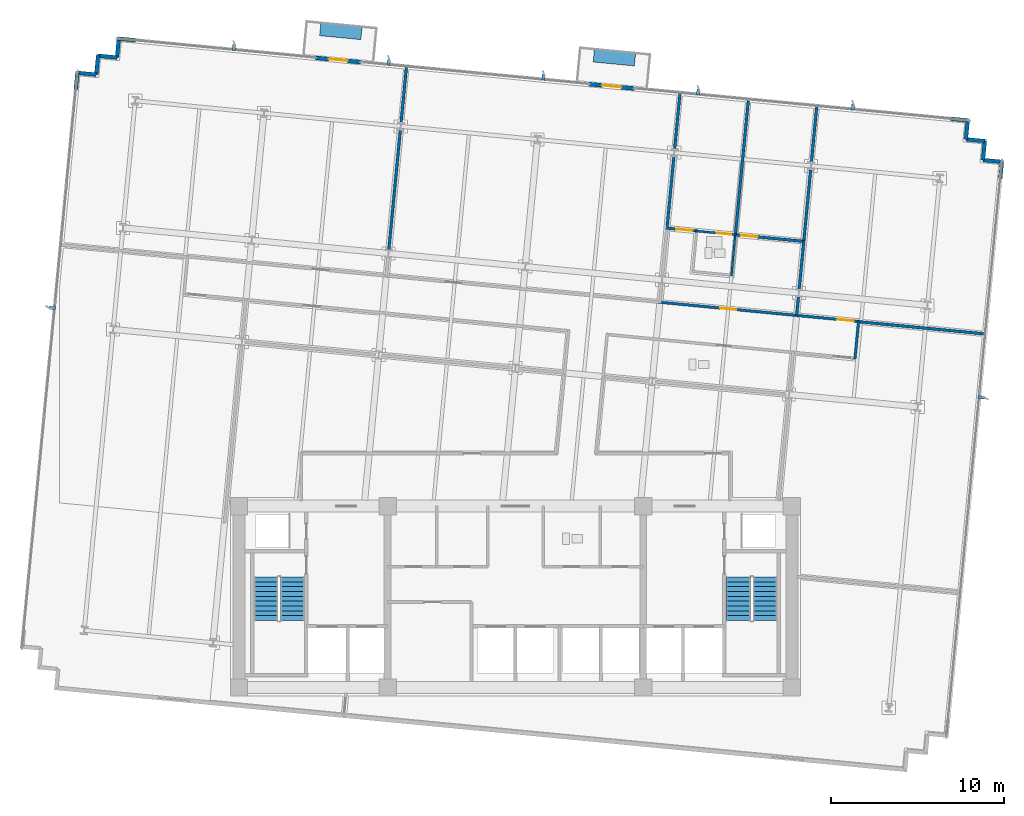
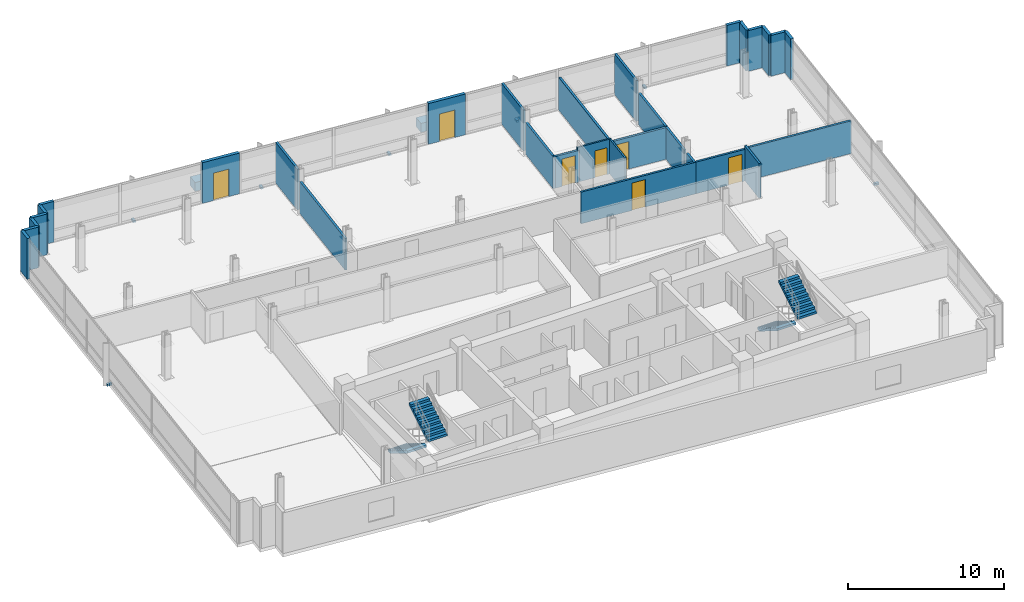
# One storey, part 12 of 17: 31 walls, 9 discrete accessories, 7 doors, 4 stair flights, 7 openings, 2 elements without a shape of their own.
"""IFC4 building model written with IfcOpenShell, lengths in metres."""

from ifc_helpers import new_model, si_unit, direction, frame, frame_2d, origin, origin_2d, place, context, subcontext, project, spatial, polyline, rectangle, outline, extrude, material, layer, layer_set, type_object, element, fill, aggregate, save


model = new_model("IFC4")

# Units and contexts
model_context = context("Model", 3, precision=1e-05, world=origin(), true_north=direction((0.0, 1.0)))
body_context = subcontext(model_context, "Body", "Model", "MODEL_VIEW")
ifc_project = project(units=[si_unit("LENGTHUNIT", "METRE"), si_unit("AREAUNIT", "SQUARE_METRE"), si_unit("VOLUMEUNIT", "CUBIC_METRE"), si_unit("PLANEANGLEUNIT", "RADIAN"), si_unit("MASSUNIT", "GRAM", prefix="KILO")], contexts=[model_context])

# Site, building, storey
site_placement = place(None, origin())
site = spatial("IfcSite", under=ifc_project, at=site_placement, CompositionType="ELEMENT")
building_placement = place(site_placement, origin())
building = spatial("IfcBuilding", under=site, at=building_placement, Name="Solmavex Isthmus Hotel", CompositionType="ELEMENT")
storey_placement = place(building_placement, frame((0.0, 0.0, 163.5)))
storey = spatial("IfcBuildingStorey", under=building, at=storey_placement, Name="L44", CompositionType="ELEMENT", Elevation=163.5)

# Wall, opening, door
ifc_material_1 = material(Name="Precast Concrete C40/50", Category="concrete")
ifc_layer_1 = layer(ifc_material_1, 0.25)
ifc_layer_set_1 = layer_set([ifc_layer_1], Name="Precast Concrete C40/50")
wall_type_1 = type_object("IfcWallType", Name="EW-TWR-250", PredefinedType="STANDARD", material=ifc_layer_set_1)
wall_1_placement = place(storey_placement, frame((-11.5634765625, 23.46142578125, 0.0), z_axis=(0.0, 0.0, 1.0), x_axis=(0.995402144456, -0.095783979938, 0.0)))
wall_1 = element("IfcWall", 1, at=wall_1_placement, inside=storey, type_object=wall_type_1, Name="Exterior Balcony Door Wall L44-2", PredefinedType="STANDARD", context=body_context, shape_type="SweptSolid", body=[
    extrude(rectangle(XDim=2.599853515625, YDim=0.239990234375, at=frame_2d((1.2998046875, 0.0))), origin(), (0.0, 0.0, 1.0), 3.18994140625),
])
opening_1_placement = place(wall_1_placement, frame((0.75, 0.0, 0.0)))
opening_1 = element("IfcOpeningElement", 2, at=opening_1_placement, cuts=wall_1, Name="Opening ED-02", PredefinedType="OPENING", context=body_context, shape_type="SweptSolid", body=[
    extrude(rectangle(XDim=1.10009765625, YDim=2.14990234375, at=frame_2d((0.550048828125, 1.074951171875))), frame((0.0, 0.1298828125, 0.0), z_axis=(0.0, -1.0, 0.0), x_axis=(1.0, 0.0, 0.0)), (0.0, 0.0, 1.0), 0.260009765625),
])
ifc_material_2 = material(Name="Aluminium alloy 6063-T6", Category="aluminium")
door_type_1 = type_object("IfcDoorType", Name="EDR-BALC-1100", OperationType="NOTDEFINED", PredefinedType="DOOR", material=ifc_material_2)
door_1_placement = place(opening_1_placement, origin())
door_1 = element("IfcDoor", 3, at=door_1_placement, inside=storey, type_object=door_type_1, Name="Balcony & Terrace Glazed Door L44-2", OperationType="SINGLE_SWING_RIGHT", OverallHeight=2.14990234375, OverallWidth=1.10009765625, PredefinedType="DOOR", context=body_context, shape_type="SweptSolid", body=[
    extrude(rectangle(XDim=1.10009765625, YDim=2.14990234375, at=frame_2d((0.550048828125, 1.074951171875))), frame((0.0, 0.02490234375, 0.0), z_axis=(0.0, -1.0, 0.0), x_axis=(1.0, 0.0, 0.0)), (0.0, 0.0, 1.0), 0.050048828125),
])
fill(opening_1, door_1)

wall_2_placement = place(storey_placement, frame((4.275146484375, 21.9365234375, 0.0), z_axis=(0.0, 0.0, 1.0), x_axis=(0.995394049959, -0.095868061976, 0.0)))
wall_2 = element("IfcWall", 4, at=wall_2_placement, inside=storey, type_object=wall_type_1, Name="Exterior Balcony Door Wall L44-3", PredefinedType="STANDARD", context=body_context, shape_type="SweptSolid", body=[
    extrude(rectangle(XDim=2.60009765625, YDim=0.239990234375, at=frame_2d((1.300048828125, 0.0))), origin(), (0.0, 0.0, 1.0), 3.18994140625),
])
opening_2_placement = place(wall_2_placement, frame((0.75, 0.0, 0.0)))
opening_2 = element("IfcOpeningElement", 5, at=opening_2_placement, cuts=wall_2, Name="Opening ED-02", PredefinedType="OPENING", context=body_context, shape_type="SweptSolid", body=[
    extrude(rectangle(XDim=1.10009765625, YDim=2.14990234375, at=frame_2d((0.550048828125, 1.074951171875))), frame((0.0, 0.1298828125, 0.0), z_axis=(0.0, -1.0, 0.0), x_axis=(1.0, 0.0, 0.0)), (0.0, 0.0, 1.0), 0.260009765625),
])
door_2_placement = place(opening_2_placement, origin())
door_2 = element("IfcDoor", 6, at=door_2_placement, inside=storey, type_object=door_type_1, Name="Balcony & Terrace Glazed Door L44-3", OperationType="SINGLE_SWING_LEFT", OverallHeight=2.14990234375, OverallWidth=1.10009765625, PredefinedType="DOOR", context=body_context, shape_type="SweptSolid", body=[
    extrude(rectangle(XDim=1.10009765625, YDim=2.14990234375, at=frame_2d((0.550048828125, 1.074951171875))), frame((0.0, 0.02490234375, 0.0), z_axis=(0.0, -1.0, 0.0), x_axis=(1.0, 0.0, 0.0)), (0.0, 0.0, 1.0), 0.050048828125),
])
fill(opening_2, door_2)

# Walls
wall_3_placement = place(storey_placement, frame((-25.46142578125, 21.60498046875, 0.0), z_axis=(0.0, 0.0, 1.0), x_axis=(0.095937974524, 0.995387314086, 0.0)))
element("IfcWall", 7, at=wall_3_placement, inside=storey, type_object=wall_type_1, Name="Serrated Corner Facade Panel L44-07", PredefinedType="STANDARD", context=body_context, shape_type="SweptSolid", body=[
    extrude(rectangle(XDim=0.989990234375, YDim=0.219970703125, at=frame_2d((0.4951171875, 0.0))), origin(), (0.0, 0.0, 1.0), 3.18994140625),
])
for number, where, z_axis, x_axis, name in (
    (8, (-25.366455078125, 22.59033203125, 0.0), (0.0, 0.0, 1.0), (0.995414313875, -0.095657429048, 0.0), "Serrated Corner Facade Panel L44-08"),
    (9, (-24.271484375, 22.485107421875, 0.0), (0.0, 0.0, 1.0), (0.095657429048, 0.995414313875, 0.0), "Serrated Corner Facade Panel L44-09"),
    (10, (-24.166259765625, 23.580078125, 0.0), (0.0, 0.0, 1.0), (0.995393156894, -0.095877334176, 0.0), "Serrated Corner Facade Panel L44-10"),
    (11, (-23.0712890625, 23.474609375, 0.0), (0.0, 0.0, 1.0), (0.095877334176, 0.995393156894, 0.0), "Serrated Corner Facade Panel L44-11"),
):
    element("IfcWall", number, at=place(storey_placement, frame(where, z_axis=z_axis, x_axis=x_axis)), inside=storey, type_object=wall_type_1, Name=name, PredefinedType="STANDARD", context=body_context, shape_type="SweptSolid", body=[
        extrude(rectangle(XDim=1.10009765625, YDim=0.219970703125, at=frame_2d((0.550048828125, 0.0))), origin(), (0.0, 0.0, 1.0), 3.18994140625),
    ])
for number, where, z_axis, x_axis, name in (
    (12, (-22.9658203125, 24.569580078125, 0.0), (0.0, 0.0, 1.0), (0.995387314086, -0.095937974524, 0.0), "Serrated Corner Facade Panel L44-12"),
    (13, (25.201416015625, 19.931396484375, 0.0), (0.0, 0.0, 1.0), (0.99541083642, -0.095693608655, 0.0), "Serrated Corner Facade Panel L44-14"),
):
    element("IfcWall", number, at=place(storey_placement, frame(where, z_axis=z_axis, x_axis=x_axis)), inside=storey, type_object=wall_type_1, Name=name, PredefinedType="STANDARD", context=body_context, shape_type="SweptSolid", body=[
        extrude(rectangle(XDim=0.989990234375, YDim=0.219970703125, at=frame_2d((0.4951171875, 0.0))), origin(), (0.0, 0.0, 1.0), 3.18994140625),
    ])
wall_4_placement = place(storey_placement, frame((26.186767578125, 19.836669921875, 0.0), z_axis=(0.0, 0.0, 1.0), x_axis=(-0.095657429048, -0.995414313875, 0.0)))
element("IfcWall", 14, at=wall_4_placement, inside=storey, type_object=wall_type_1, Name="Serrated Corner Facade Panel L44-15", PredefinedType="STANDARD", context=body_context, shape_type="SweptSolid", body=[
    extrude(rectangle(XDim=1.10009765625, YDim=0.219970703125, at=frame_2d((0.550048828125, 0.0))), origin(), (0.0, 0.0, 1.0), 3.18994140625),
])
wall_5_placement = place(storey_placement, frame((26.08154296875, 18.74169921875, 0.0), z_axis=(0.0, 0.0, 1.0), x_axis=(0.995391116058, -0.095898519656, 0.0)))
element("IfcWall", 15, at=wall_5_placement, inside=storey, type_object=wall_type_1, Name="Serrated Corner Facade Panel L44-16", PredefinedType="STANDARD", context=body_context, shape_type="SweptSolid", body=[
    extrude(rectangle(XDim=1.099853515625, YDim=0.219970703125, at=frame_2d((0.5498046875, 0.0))), origin(), (0.0, 0.0, 1.0), 3.18994140625),
])
wall_6_placement = place(storey_placement, frame((27.17626953125, 18.63623046875, 0.0), z_axis=(0.0, 0.0, 1.0), x_axis=(-0.095657429048, -0.995414313875, 0.0)))
element("IfcWall", 16, at=wall_6_placement, inside=storey, type_object=wall_type_1, Name="Serrated Corner Facade Panel L44-17", PredefinedType="STANDARD", context=body_context, shape_type="SweptSolid", body=[
    extrude(rectangle(XDim=1.10009765625, YDim=0.219970703125, at=frame_2d((0.550048828125, 0.0))), origin(), (0.0, 0.0, 1.0), 3.18994140625),
])
wall_7_placement = place(storey_placement, frame((27.071044921875, 17.541259765625, 0.0), z_axis=(0.0, 0.0, 1.0), x_axis=(0.995391116058, -0.095898519656, 0.0)))
element("IfcWall", 17, at=wall_7_placement, inside=storey, type_object=wall_type_1, Name="Serrated Corner Facade Panel L44-18", PredefinedType="STANDARD", context=body_context, shape_type="SweptSolid", body=[
    extrude(rectangle(XDim=1.099853515625, YDim=0.219970703125, at=frame_2d((0.5498046875, 0.0))), origin(), (0.0, 0.0, 1.0), 3.18994140625),
])
wall_8_placement = place(storey_placement, frame((28.165771484375, 17.435791015625, 0.0), z_axis=(0.0, 0.0, 1.0), x_axis=(-0.095693608655, -0.99541083642, 0.0)))
element("IfcWall", 18, at=wall_8_placement, inside=storey, type_object=wall_type_1, Name="Serrated Corner Facade Panel L44-19", PredefinedType="STANDARD", context=body_context, shape_type="SweptSolid", body=[
    extrude(rectangle(XDim=0.989990234375, YDim=0.219970703125, at=frame_2d((0.4951171875, 0.0))), origin(), (0.0, 0.0, 1.0), 3.18994140625),
])
ifc_material_3 = material(Name="Gypsum plasterboard lining", Category="gypsum")
ifc_layer_2 = layer(ifc_material_3, 0.159912109375)
ifc_layer_set_2 = layer_set([ifc_layer_2], Name="Gypsum plasterboard lining")
wall_type_2 = type_object("IfcWallType", Name="IW-COMP-160", PredefinedType="PARTITIONING", material=ifc_layer_set_2)
wall_9_placement = place(storey_placement, frame((-6.66015625, 19.31640625, 0.0), z_axis=(0.0, 0.0, 1.0), x_axis=(-0.095853155488, -0.995395485515, 0.0)))
element("IfcWall", 19, at=wall_9_placement, inside=storey, type_object=wall_type_2, Name="Interior Partition Wall W-L44-P020", PredefinedType="PARTITIONING", context=body_context, shape_type="SweptSolid", body=[
    extrude(rectangle(XDim=7.0400390625, YDim=0.159912109375, at=frame_2d((3.52001953125, 0.0))), origin(), (0.0, 0.0, 1.0), 2.4794921875),
])
wall_10_placement = place(storey_placement, frame((-6.305908203125, 22.995361328125, 0.0), z_axis=(0.0, 0.0, 1.0), x_axis=(-0.095859866796, -0.995394839216, 0.0)))
element("IfcWall", 20, at=wall_10_placement, inside=storey, type_object=wall_type_2, Name="Interior Partition Wall W-L44-P021", PredefinedType="PARTITIONING", context=body_context, shape_type="SweptSolid", body=[
    extrude(rectangle(XDim=3.343994140625, YDim=0.159912109375, at=frame_2d((1.671875, 0.0))), origin(), (0.0, 0.0, 1.0), 3.18994140625),
])
wall_11_placement = place(storey_placement, frame((9.178466796875, 17.791259765625, 0.0), z_axis=(0.0, 0.0, 1.0), x_axis=(-0.095830387623, -0.995397677719, 0.0)))
element("IfcWall", 21, at=wall_11_placement, inside=storey, type_object=wall_type_2, Name="Interior Partition Wall W-L44-P025", PredefinedType="PARTITIONING", context=body_context, shape_type="SweptSolid", body=[
    extrude(rectangle(XDim=4.2978515625, YDim=0.159912109375, at=frame_2d((2.14892578125, 0.0))), origin(), (0.0, 0.0, 1.0), 2.4794921875),
])
wall_12_placement = place(storey_placement, frame((9.53271484375, 21.470458984375, 0.0), z_axis=(0.0, 0.0, 1.0), x_axis=(-0.095859866796, -0.995394839216, 0.0)))
element("IfcWall", 22, at=wall_12_placement, inside=storey, type_object=wall_type_2, Name="Interior Partition Wall W-L44-P026", PredefinedType="PARTITIONING", context=body_context, shape_type="SweptSolid", body=[
    extrude(rectangle(XDim=3.343994140625, YDim=0.159912109375, at=frame_2d((1.671875, 0.0))), origin(), (0.0, 0.0, 1.0), 3.18994140625),
])

# Wall, opening, door
wall_13_placement = place(storey_placement, frame((8.734619140625, 13.5986328125, 0.0), z_axis=(0.0, 0.0, 1.0), x_axis=(0.995394173932, -0.095866774755, 0.0)))
wall_13 = element("IfcWall", 23, at=wall_13_placement, inside=storey, type_object=wall_type_2, Name="Interior Partition Wall W-L44-P027", PredefinedType="PARTITIONING", context=body_context, shape_type="SweptSolid", body=[
    extrude(rectangle(XDim=1.80810546875, YDim=0.159912109375, at=frame_2d((0.904052734375, 0.0))), origin(), (0.0, 0.0, 1.0), 2.4794921875),
])
opening_3_placement = place(wall_13_placement, frame((0.57421875, 0.0, 0.0)))
opening_3 = element("IfcOpeningElement", 24, at=opening_3_placement, cuts=wall_13, Name="Opening ID-C095", PredefinedType="OPENING", context=body_context, shape_type="SweptSolid", body=[
    extrude(rectangle(XDim=0.949951171875, YDim=2.14990234375, at=frame_2d((0.47509765625, 1.074951171875))), frame((0.0, 0.08984375, 0.0), z_axis=(0.0, -1.0, 0.0), x_axis=(1.0, 0.0, 0.0)), (0.0, 0.0, 1.0), 0.179931640625),
])
ifc_material_4 = material(Name="Hardwood timber", Category="wood")
door_type_2 = type_object("IfcDoorType", Name="IDR-FD60-0950", OperationType="NOTDEFINED", PredefinedType="DOOR", material=ifc_material_4)
door_3_placement = place(opening_3_placement, origin())
door_3 = element("IfcDoor", 25, at=door_3_placement, inside=storey, type_object=door_type_2, Name="Diplomatic Suite Master Bedroom Door L44-04", OperationType="SINGLE_SWING_RIGHT", OverallHeight=2.14990234375, OverallWidth=0.949951171875, PredefinedType="DOOR", context=body_context, shape_type="SweptSolid", body=[
    extrude(rectangle(XDim=0.949951171875, YDim=2.14990234375, at=frame_2d((0.47509765625, 1.074951171875))), frame((0.0, 0.02490234375, 0.0), z_axis=(0.0, -1.0, 0.0), x_axis=(1.0, 0.0, 0.0)), (0.0, 0.0, 1.0), 0.050048828125),
])
fill(opening_3, door_3)

wall_14_placement = place(storey_placement, frame((12.684326171875, 13.21826171875, 0.0), z_axis=(0.0, 0.0, 1.0), x_axis=(0.995396485523, -0.095842770251, 0.0)))
wall_14 = element("IfcWall", 26, at=wall_14_placement, inside=storey, type_object=wall_type_2, Name="Interior Partition Wall W-L44-P028", PredefinedType="PARTITIONING", context=body_context, shape_type="SweptSolid", body=[
    extrude(rectangle(XDim=4.068115234375, YDim=0.159912109375, at=frame_2d((2.0341796875, 0.0))), origin(), (0.0, 0.0, 1.0), 2.4794921875),
])
opening_4_placement = place(wall_14_placement, frame((0.386474609375, 0.0, 0.0)))
opening_4 = element("IfcOpeningElement", 27, at=opening_4_placement, cuts=wall_14, Name="Opening ID-C095", PredefinedType="OPENING", context=body_context, shape_type="SweptSolid", body=[
    extrude(rectangle(XDim=0.949951171875, YDim=2.14990234375, at=frame_2d((0.47509765625, 1.074951171875))), frame((0.0, 0.08984375, 0.0), z_axis=(0.0, -1.0, 0.0), x_axis=(1.0, 0.0, 0.0)), (0.0, 0.0, 1.0), 0.179931640625),
])
door_4_placement = place(opening_4_placement, origin())
door_4 = element("IfcDoor", 28, at=door_4_placement, inside=storey, type_object=door_type_2, Name="Diplomatic Suite Panorama Sitting Study Door L44-05", OperationType="SINGLE_SWING_LEFT", OverallHeight=2.14990234375, OverallWidth=0.949951171875, PredefinedType="DOOR", context=body_context, shape_type="SweptSolid", body=[
    extrude(rectangle(XDim=0.949951171875, YDim=2.14990234375, at=frame_2d((0.47509765625, 1.074951171875))), frame((0.0, 0.02490234375, 0.0), z_axis=(0.0, -1.0, 0.0), x_axis=(1.0, 0.0, 0.0)), (0.0, 0.0, 1.0), 0.050048828125),
])
fill(opening_4, door_4)

# Walls
wall_15_placement = place(storey_placement, frame((16.389404296875, 9.6708984375, 0.0), z_axis=(0.0, 0.0, 1.0), x_axis=(-0.095811626391, -0.995399483749, 0.0)))
element("IfcWall", 29, at=wall_15_placement, inside=storey, type_object=wall_type_2, Name="Interior Partition Wall W-L44-P032", PredefinedType="PARTITIONING", context=body_context, shape_type="SweptSolid", body=[
    extrude(rectangle(XDim=1.172119140625, YDim=0.159912109375, at=frame_2d((0.5859375, 0.0))), origin(), (0.0, 0.0, 1.0), 2.4794921875),
])
wall_16_placement = place(storey_placement, frame((16.69775390625, 12.8720703125, 0.0), z_axis=(0.0, 0.0, 1.0), x_axis=(-0.095899197745, -0.995391050729, 0.0)))
element("IfcWall", 30, at=wall_16_placement, inside=storey, type_object=wall_type_2, Name="Interior Partition Wall W-L44-P033", PredefinedType="PARTITIONING", context=body_context, shape_type="SweptSolid", body=[
    extrude(rectangle(XDim=2.864013671875, YDim=0.159912109375, at=frame_2d((1.43212890625, 0.0))), origin(), (0.0, 0.0, 1.0), 2.4794921875),
])
wall_17_placement = place(storey_placement, frame((13.48095703125, 20.9697265625, 0.0), z_axis=(0.0, 0.0, 1.0), x_axis=(-0.095851985855, -0.995395598146, 0.0)))
element("IfcWall", 31, at=wall_17_placement, inside=storey, type_object=wall_type_2, Name="Interior Partition Wall W-L44-P034", PredefinedType="PARTITIONING", context=body_context, shape_type="SweptSolid", body=[
    extrude(rectangle(XDim=7.832275390625, YDim=0.159912109375, at=frame_2d((3.916015625, 0.0))), origin(), (0.0, 0.0, 1.0), 2.5576171875),
])
wall_18_placement = place(storey_placement, frame((17.097900390625, 17.02880859375, 0.0), z_axis=(0.0, 0.0, 1.0), x_axis=(-0.095856690152, -0.995395145132, 0.0)))
element("IfcWall", 32, at=wall_18_placement, inside=storey, type_object=wall_type_2, Name="Interior Partition Wall W-L44-P036", PredefinedType="PARTITIONING", context=body_context, shape_type="SweptSolid", body=[
    extrude(rectangle(XDim=4.255859375, YDim=0.159912109375, at=frame_2d((2.1279296875, 0.0))), origin(), (0.0, 0.0, 1.0), 2.4794921875),
])
wall_19_placement = place(storey_placement, frame((17.4521484375, 20.707763671875, 0.0), z_axis=(0.0, 0.0, 1.0), x_axis=(-0.095859866796, -0.995394839216, 0.0)))
element("IfcWall", 33, at=wall_19_placement, inside=storey, type_object=wall_type_2, Name="Interior Partition Wall W-L44-P037", PredefinedType="PARTITIONING", context=body_context, shape_type="SweptSolid", body=[
    extrude(rectangle(XDim=3.343994140625, YDim=0.159912109375, at=frame_2d((1.671875, 0.0))), origin(), (0.0, 0.0, 1.0), 3.18994140625),
])
wall_20_placement = place(storey_placement, frame((27.236328125, 7.468994140625, 0.0), z_axis=(0.0, 0.0, 1.0), x_axis=(-0.995396228159, 0.095845443117, 0.0)))
element("IfcWall", 34, at=wall_20_placement, inside=storey, type_object=wall_type_2, Name="Interior Partition Wall W-L44-P038", PredefinedType="PARTITIONING", context=body_context, shape_type="SweptSolid", body=[
    extrude(rectangle(XDim=7.447998046875, YDim=0.159912109375, at=frame_2d((3.72412109375, 0.0))), origin(), (0.0, 0.0, 1.0), 2.5576171875),
])

# Wall, opening, door
ifc_layer_3 = layer(ifc_material_3, 0.14990234375)
ifc_layer_set_3 = layer_set([ifc_layer_3], Name="Gypsum plasterboard lining")
wall_type_3 = type_object("IfcWallType", Name="IW-CORR-150", PredefinedType="PARTITIONING", material=ifc_layer_set_3)
wall_21_placement = place(storey_placement, frame((8.280029296875, 9.314453125, 0.0), z_axis=(0.0, 0.0, 1.0), x_axis=(0.995395467524, -0.095853342309, 0.0)))
wall_21 = element("IfcWall", 35, at=wall_21_placement, inside=storey, type_object=wall_type_3, Name="Interior Partition Wall W-L44-P003", PredefinedType="PARTITIONING", context=body_context, shape_type="SweptSolid", body=[
    extrude(rectangle(XDim=8.119873046875, YDim=0.14990234375, at=frame_2d((4.06005859375, 0.0))), origin(), (0.0, 0.0, 1.0), 2.4794921875),
])
opening_5_placement = place(wall_21_placement, frame((3.5849609375, 0.0, 0.0)))
opening_5 = element("IfcOpeningElement", 36, at=opening_5_placement, cuts=wall_21, Name="Opening ID-C095", PredefinedType="OPENING", context=body_context, shape_type="SweptSolid", body=[
    extrude(rectangle(XDim=0.949951171875, YDim=2.14990234375, at=frame_2d((0.47509765625, 1.074951171875))), frame((0.0, 0.0849609375, 0.0), z_axis=(0.0, -1.0, 0.0), x_axis=(1.0, 0.0, 0.0)), (0.0, 0.0, 1.0), 0.169921875),
])
door_5_placement = place(opening_5_placement, frame((0.949951171875, 0.0, 0.0), z_axis=(0.0, 0.0, 1.0), x_axis=(-1.0, 0.0, 0.0)))
door_5 = element("IfcDoor", 37, at=door_5_placement, inside=storey, type_object=door_type_2, Name="Diplomatic Suite Living Salon Door L44-03", OperationType="SINGLE_SWING_LEFT", OverallHeight=2.14990234375, OverallWidth=0.949951171875, PredefinedType="DOOR", context=body_context, shape_type="SweptSolid", body=[
    extrude(rectangle(XDim=0.949951171875, YDim=2.14990234375, at=frame_2d((0.47509765625, 1.074951171875))), frame((0.0, 0.02490234375, 0.0), z_axis=(0.0, -1.0, 0.0), x_axis=(1.0, 0.0, 0.0)), (0.0, 0.0, 1.0), 0.050048828125),
])
fill(opening_5, door_5)

wall_22_placement = place(storey_placement, frame((16.19921875, 8.552001953125, 0.0), z_axis=(0.0, 0.0, 1.0), x_axis=(0.995391104887, -0.095898635608, 0.0)))
wall_22 = element("IfcWall", 38, at=wall_22_placement, inside=storey, type_object=wall_type_3, Name="Interior Partition Wall W-L44-P004", PredefinedType="PARTITIONING", context=body_context, shape_type="SweptSolid", body=[
    extrude(rectangle(XDim=3.721923828125, YDim=0.14990234375, at=frame_2d((1.86083984375, 0.0))), origin(), (0.0, 0.0, 1.0), 2.4794921875),
])
opening_6_placement = place(wall_22_placement, frame((2.456787109375, 0.0, 0.0)))
opening_6 = element("IfcOpeningElement", 39, at=opening_6_placement, cuts=wall_22, Name="Opening ID-C095", PredefinedType="OPENING", context=body_context, shape_type="SweptSolid", body=[
    extrude(rectangle(XDim=0.949951171875, YDim=2.14990234375, at=frame_2d((0.47509765625, 1.074951171875))), frame((0.0, 0.0849609375, 0.0), z_axis=(0.0, -1.0, 0.0), x_axis=(1.0, 0.0, 0.0)), (0.0, 0.0, 1.0), 0.169921875),
])
door_6_placement = place(opening_6_placement, frame((0.949951171875, 0.0, 0.0), z_axis=(0.0, 0.0, 1.0), x_axis=(-1.0, 0.0, 0.0)))
door_6 = element("IfcDoor", 40, at=door_6_placement, inside=storey, type_object=door_type_2, Name="Executive Hospitality Lounge Door L44-07", OperationType="SINGLE_SWING_LEFT", OverallHeight=2.14990234375, OverallWidth=0.949951171875, PredefinedType="DOOR", context=body_context, shape_type="SweptSolid", body=[
    extrude(rectangle(XDim=0.949951171875, YDim=2.14990234375, at=frame_2d((0.47509765625, 1.074951171875))), frame((0.0, 0.02490234375, 0.0), z_axis=(0.0, -1.0, 0.0), x_axis=(1.0, 0.0, 0.0)), (0.0, 0.0, 1.0), 0.050048828125),
])
fill(opening_6, door_6)

# Walls
wall_23_placement = place(storey_placement, frame((19.8662109375, 8.218994140625, 0.0), z_axis=(0.0, 0.0, 1.0), x_axis=(-0.095773447772, -0.995403157872, 0.0)))
element("IfcWall", 41, at=wall_23_placement, inside=storey, type_object=wall_type_3, Name="Interior Partition Wall W-L44-P015", PredefinedType="PARTITIONING", context=body_context, shape_type="SweptSolid", body=[
    extrude(rectangle(XDim=2.210205078125, YDim=0.14990234375, at=frame_2d((1.10498046875, 0.0))), origin(), (0.0, 0.0, 1.0), 2.718017578125),
])
ifc_layer_4 = layer(ifc_material_3, 0.1201171875)
ifc_layer_set_4 = layer_set([ifc_layer_4], Name="Gypsum plasterboard lining")
wall_type_4 = type_object("IfcWallType", Name="IW-PART-120", PredefinedType="PARTITIONING", material=ifc_layer_set_4)
wall_24_placement = place(storey_placement, frame((12.505126953125, 10.83447265625, 0.0), z_axis=(0.0, 0.0, 1.0), x_axis=(0.091622673793, 0.995793796751, 0.0)))
element("IfcWall", 42, at=wall_24_placement, inside=storey, type_object=wall_type_4, Name="Interior Partition Wall W-L44-P031", PredefinedType="PARTITIONING", context=body_context, shape_type="SweptSolid", body=[
    extrude(rectangle(XDim=2.43017578125, YDim=0.1201171875, at=frame_2d((1.215087890625, 0.0))), origin(), (0.0, 0.0, 1.0), 2.718017578125),
])

# Wall, opening, door
wall_25_placement = place(storey_placement, frame((12.77392578125, 13.209716796875, 0.0), z_axis=(0.0, 0.0, 1.0), x_axis=(-0.995398273854, 0.095824195322, 0.0)))
wall_25 = element("IfcWall", 43, at=wall_25_placement, inside=storey, type_object=wall_type_4, Name="Interior Partition Wall W-L44-P035", PredefinedType="PARTITIONING", context=body_context, shape_type="SweptSolid", body=[
    extrude(rectangle(XDim=2.3720703125, YDim=0.1201171875, at=frame_2d((1.18603515625, 0.0))), origin(), (0.0, 0.0, 1.0), 2.718017578125),
])
opening_7_placement = place(wall_25_placement, frame((0.27978515625, 0.0, 0.0)))
opening_7 = element("IfcOpeningElement", 44, at=opening_7_placement, cuts=wall_25, Name="Opening ID-U085", PredefinedType="OPENING", context=body_context, shape_type="SweptSolid", body=[
    extrude(rectangle(XDim=0.85009765625, YDim=2.10009765625, at=frame_2d((0.425048828125, 1.050048828125))), frame((0.0, 0.070068359375, 0.0), z_axis=(0.0, -1.0, 0.0), x_axis=(1.0, 0.0, 0.0)), (0.0, 0.0, 1.0), 0.14013671875),
])
door_type_3 = type_object("IfcDoorType", Name="IDR-UNR-0850", OperationType="NOTDEFINED", PredefinedType="DOOR", material=ifc_material_4)
door_7_placement = place(opening_7_placement, frame((0.85009765625, 0.0, 0.0), z_axis=(0.0, 0.0, 1.0), x_axis=(-1.0, 0.0, 0.0)))
door_7 = element("IfcDoor", 45, at=door_7_placement, inside=storey, type_object=door_type_3, Name="En-suite Bathroom Door L44-06", OperationType="SINGLE_SWING_RIGHT", OverallHeight=2.10009765625, OverallWidth=0.85009765625, PredefinedType="DOOR", context=body_context, shape_type="SweptSolid", body=[
    extrude(rectangle(XDim=0.85009765625, YDim=2.10009765625, at=frame_2d((0.425048828125, 1.050048828125))), frame((0.0, 0.02490234375, 0.0), z_axis=(0.0, -1.0, 0.0), x_axis=(1.0, 0.0, 0.0)), (0.0, 0.0, 1.0), 0.050048828125),
])
fill(opening_7, door_7)

# Stair, stair flights
ifc_material_5 = material(Name="Concrete C40/50", Category="concrete")
stair_type_1 = type_object("IfcStairType", Name="STR-ST-1", PredefinedType="HALF_TURN_STAIR", material=ifc_material_5)
stair_1_placement = place(storey_placement, origin())
stair_1 = element("IfcStair", 46, at=stair_1_placement, inside=storey, type_object=stair_type_1, Name="L44 Protected Exit Stair ST-1", PredefinedType="HALF_TURN_STAIR")
stair_flight_type_1 = type_object("IfcStairFlightType", Name="SFL-ST-1", PredefinedType="STRAIGHT", material=ifc_material_5)
stair_flight_1_placement = place(storey_placement, frame((-14.449951171875, -6.60009765625, 0.0), z_axis=(0.0, 0.0, 1.0), x_axis=(0.0, -1.0, 0.0)))
stair_flight_1 = element("IfcStairFlight", 47, at=stair_flight_1_placement, type_object=stair_flight_type_1, Name="ST-1 flight 1", NumberOfRisers=10, NumberOfTreads=9, PredefinedType="STRAIGHT", RiserHeight=0.1725, TreadLength=0.28, context=body_context, shape_type="SweptSolid", body=[
    extrude(outline(polyline([(0.0, 0.0), (0.0, 0.172607421875), (0.280029296875, 0.172607421875), (0.280029296875, 0.344970703125), (0.56005859375, 0.344970703125), (0.56005859375, 0.517578125), (0.840087890625, 0.517578125), (0.840087890625, 0.68994140625), (1.1201171875, 0.68994140625), (1.1201171875, 0.862548828125), (1.39990234375, 0.862548828125), (1.39990234375, 1.034912109375), (1.679931640625, 1.034912109375), (1.679931640625, 1.20751953125), (1.9599609375, 1.20751953125), (1.9599609375, 1.3798828125), (2.239990234375, 1.3798828125), (2.239990234375, 1.552490234375), (2.52001953125, 1.552490234375), (2.52001953125, 1.72509765625), (2.52001953125, 1.37646484375), (0.285888671875, 0.0), (0.0, 0.0)])), frame((0.0, 0.699951171875, 0.0), z_axis=(0.0, -1.0, 0.0), x_axis=(1.0, 0.0, 0.0)), (0.0, 0.0, 1.0), 1.39990234375),
])
stair_flight_2_placement = place(storey_placement, frame((-12.89990234375, -9.1201171875, 1.72509765625), z_axis=(0.0, 0.0, 1.0), x_axis=(0.0, 1.0, 0.0)))
stair_flight_2 = element("IfcStairFlight", 48, at=stair_flight_2_placement, type_object=stair_flight_type_1, Name="ST-1 flight 2", NumberOfRisers=10, NumberOfTreads=9, PredefinedType="STRAIGHT", RiserHeight=0.1725, TreadLength=0.28, context=body_context, shape_type="SweptSolid", body=[
    extrude(outline(polyline([(0.0, 0.0), (0.0, 0.172607421875), (0.280029296875, 0.172607421875), (0.280029296875, 0.344970703125), (0.56005859375, 0.344970703125), (0.56005859375, 0.517578125), (0.840087890625, 0.517578125), (0.840087890625, 0.68994140625), (1.1201171875, 0.68994140625), (1.1201171875, 0.862548828125), (1.39990234375, 0.862548828125), (1.39990234375, 1.034912109375), (1.679931640625, 1.034912109375), (1.679931640625, 1.20751953125), (1.9599609375, 1.20751953125), (1.9599609375, 1.3798828125), (2.239990234375, 1.3798828125), (2.239990234375, 1.552490234375), (2.52001953125, 1.552490234375), (2.52001953125, 1.72509765625), (2.52001953125, 1.37646484375), (0.285888671875, 0.0), (0.0, 0.0)])), frame((0.0, 0.699951171875, 0.0), z_axis=(0.0, -1.0, 0.0), x_axis=(1.0, 0.0, 0.0)), (0.0, 0.0, 1.0), 1.39990234375),
])
aggregate(stair_1, [stair_flight_1, stair_flight_2])

stair_type_2 = type_object("IfcStairType", Name="STR-ST-2", PredefinedType="HALF_TURN_STAIR", material=ifc_material_5)
stair_2_placement = place(storey_placement, origin())
stair_2 = element("IfcStair", 49, at=stair_2_placement, inside=storey, type_object=stair_type_2, Name="L44 Protected Exit Stair ST-2", PredefinedType="HALF_TURN_STAIR")
stair_flight_type_2 = type_object("IfcStairFlightType", Name="SFL-ST-2", PredefinedType="STRAIGHT", material=ifc_material_5)
stair_flight_3_placement = place(storey_placement, frame((12.89990234375, -6.60009765625, 0.0), z_axis=(0.0, 0.0, 1.0), x_axis=(0.0, -1.0, 0.0)))
stair_flight_3 = element("IfcStairFlight", 50, at=stair_flight_3_placement, type_object=stair_flight_type_2, Name="ST-2 flight 1", NumberOfRisers=10, NumberOfTreads=9, PredefinedType="STRAIGHT", RiserHeight=0.1725, TreadLength=0.28, context=body_context, shape_type="SweptSolid", body=[
    extrude(outline(polyline([(0.0, 0.0), (0.0, 0.172607421875), (0.280029296875, 0.172607421875), (0.280029296875, 0.344970703125), (0.56005859375, 0.344970703125), (0.56005859375, 0.517578125), (0.840087890625, 0.517578125), (0.840087890625, 0.68994140625), (1.1201171875, 0.68994140625), (1.1201171875, 0.862548828125), (1.39990234375, 0.862548828125), (1.39990234375, 1.034912109375), (1.679931640625, 1.034912109375), (1.679931640625, 1.20751953125), (1.9599609375, 1.20751953125), (1.9599609375, 1.3798828125), (2.239990234375, 1.3798828125), (2.239990234375, 1.552490234375), (2.52001953125, 1.552490234375), (2.52001953125, 1.72509765625), (2.52001953125, 1.37646484375), (0.285888671875, 0.0), (0.0, 0.0)])), frame((0.0, 0.699951171875, 0.0), z_axis=(0.0, -1.0, 0.0), x_axis=(1.0, 0.0, 0.0)), (0.0, 0.0, 1.0), 1.39990234375),
])
stair_flight_4_placement = place(storey_placement, frame((14.449951171875, -9.1201171875, 1.72509765625), z_axis=(0.0, 0.0, 1.0), x_axis=(0.0, 1.0, 0.0)))
stair_flight_4 = element("IfcStairFlight", 51, at=stair_flight_4_placement, type_object=stair_flight_type_2, Name="ST-2 flight 2", NumberOfRisers=10, NumberOfTreads=9, PredefinedType="STRAIGHT", RiserHeight=0.1725, TreadLength=0.28, context=body_context, shape_type="SweptSolid", body=[
    extrude(outline(polyline([(0.0, 0.0), (0.0, 0.172607421875), (0.280029296875, 0.172607421875), (0.280029296875, 0.344970703125), (0.56005859375, 0.344970703125), (0.56005859375, 0.517578125), (0.840087890625, 0.517578125), (0.840087890625, 0.68994140625), (1.1201171875, 0.68994140625), (1.1201171875, 0.862548828125), (1.39990234375, 0.862548828125), (1.39990234375, 1.034912109375), (1.679931640625, 1.034912109375), (1.679931640625, 1.20751953125), (1.9599609375, 1.20751953125), (1.9599609375, 1.3798828125), (2.239990234375, 1.3798828125), (2.239990234375, 1.552490234375), (2.52001953125, 1.552490234375), (2.52001953125, 1.72509765625), (2.52001953125, 1.37646484375), (0.285888671875, 0.0), (0.0, 0.0)])), frame((0.0, 0.699951171875, 0.0), z_axis=(0.0, -1.0, 0.0), x_axis=(1.0, 0.0, 0.0)), (0.0, 0.0, 1.0), 1.39990234375),
])
aggregate(stair_2, [stair_flight_3, stair_flight_4])

# Discrete accessories
ifc_material_6 = material(Name="Steel ASTM A572 Grade 50", Category="steel")
discrete_accessory_type_1 = type_object("IfcDiscreteAccessoryType", Name="ACC-BRK-FIN", PredefinedType="BRACKET", material=ifc_material_6)
for number, where, z_axis, x_axis, name in (
    (52, (-16.294189453125, 24.0576171875, -0.169921875), (0.0, 0.0, 1.0), (0.09584575252, 0.995396198367, 0.0), "Facade Fin Support Bracket L44-N1"),
    (53, (-7.335693359375, 23.195068359375, -0.169921875), (0.0, 0.0, 1.0), (0.09584575252, 0.995396198367, 0.0), "Facade Fin Support Bracket L44-N2"),
    (54, (1.623046875, 22.33251953125, -0.169921875), (0.0, 0.0, 1.0), (0.09584575252, 0.995396198367, 0.0), "Facade Fin Support Bracket L44-N3"),
    (55, (10.58154296875, 21.4697265625, -0.169921875), (0.0, 0.0, 1.0), (0.09584575252, 0.995396198367, 0.0), "Facade Fin Support Bracket L44-N4"),
    (56, (19.5400390625, 20.607177734375, -0.169921875), (0.0, 0.0, 1.0), (0.09584575252, 0.995396198367, 0.0), "Facade Fin Support Bracket L44-N5"),
    (57, (-26.80810546875, 8.975830078125, -0.169921875), (0.0, 0.0, 1.0), (-0.995396198367, 0.09584575252, 0.0), "Facade Fin Support Bracket L44-W1"),
    (58, (26.983154296875, 3.79638671875, -0.169921875), (0.0, 0.0, 1.0), (0.995396198367, -0.09584575252, 0.0), "Facade Fin Support Bracket L44-E1"),
):
    element("IfcDiscreteAccessory", number, at=place(storey_placement, frame(where, z_axis=z_axis, x_axis=x_axis)), inside=storey, type_object=discrete_accessory_type_1, Name=name, PredefinedType="BRACKET", context=body_context, shape_type="SweptSolid", body=[
        extrude(rectangle(XDim=0.340087890625, YDim=0.179931640625, at=origin_2d()), origin(), (0.0, 0.0, 1.0), 0.159912109375),
    ])
discrete_accessory_type_2 = type_object("IfcDiscreteAccessoryType", Name="ACC-PLN-BALC", PredefinedType="USERDEFINED", material=ifc_material_1)
for number, where, z_axis, x_axis, name in (
    (59, (-10.109375, 24.999267578125, 0.0), (0.0, 0.0, 1.0), (0.995396198367, -0.09584575252, 0.0), "Tree-Balcony Architectural Planter L44-B1"),
    (60, (5.729248046875, 23.47412109375, 0.0), (0.0, 0.0, 1.0), (0.995396198367, -0.09584575252, 0.0), "Tree-Balcony Architectural Planter L44-B2"),
):
    element("IfcDiscreteAccessory", number, at=place(storey_placement, frame(where, z_axis=z_axis, x_axis=x_axis)), inside=storey, type_object=discrete_accessory_type_2, Name=name, ObjectType="PLANTER", PredefinedType="USERDEFINED", context=body_context, shape_type="SweptSolid", body=[
        extrude(rectangle(XDim=2.39990234375, YDim=0.75, at=origin_2d()), origin(), (0.0, 0.0, 1.0), 0.699951171875),
    ])

save(model, "model.ifc")
